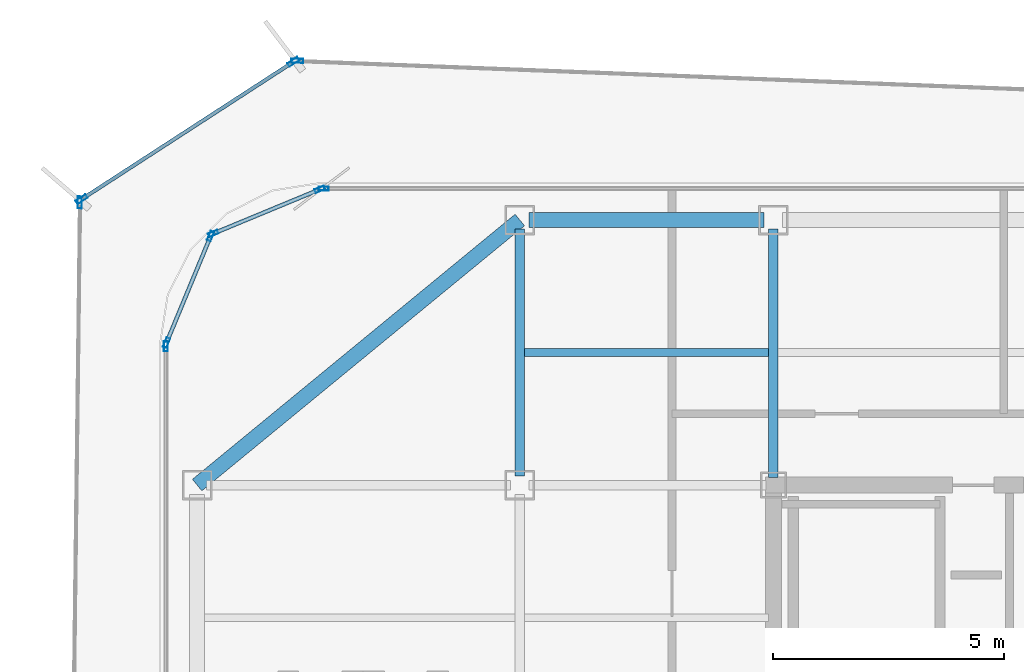
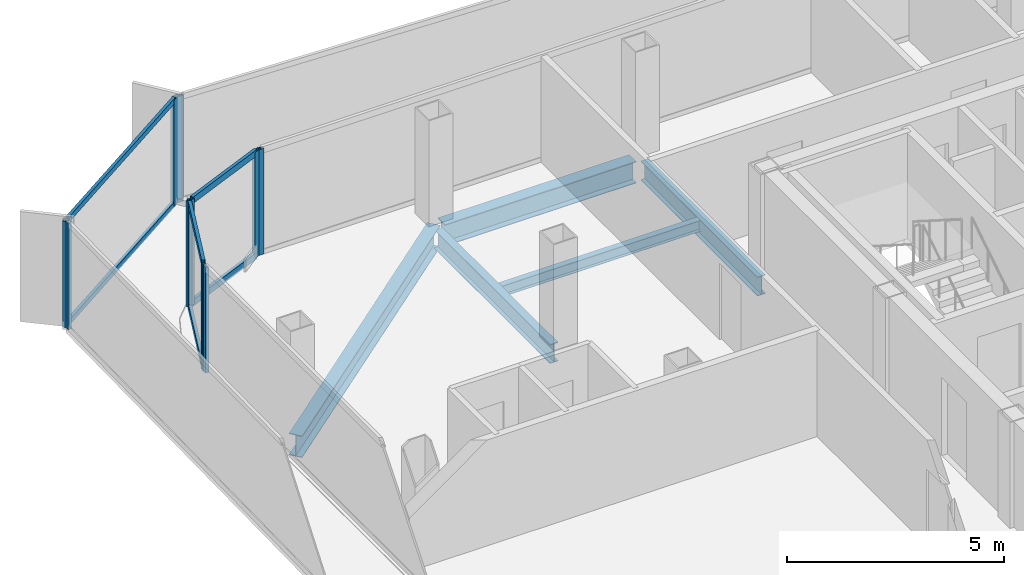
# One storey, part 6 of 15: 16 members, 5 beams, 7 elements without a shape of their own.
"""IFC4 building model written with IfcOpenShell, lengths in metres."""

from ifc_helpers import new_model, si_unit, direction, frame, origin, origin_2d, place, context, subcontext, project, spatial, hollow_rectangle, i_section, extrude, source, transform, mapped, material, layer, layer_set, material_profile, profile_set, type_object, element, aggregate, save


model = new_model("IFC4")

# Units and contexts
model_context = context("Model", 3, precision=1e-05, world=origin(), true_north=direction((0.0, 1.0)))
body_context = subcontext(model_context, "Body", "Model", "MODEL_VIEW")
ifc_project = project(units=[si_unit("LENGTHUNIT", "METRE"), si_unit("AREAUNIT", "SQUARE_METRE"), si_unit("VOLUMEUNIT", "CUBIC_METRE"), si_unit("PLANEANGLEUNIT", "RADIAN"), si_unit("MASSUNIT", "GRAM", prefix="KILO")], contexts=[model_context])

# Site, building, storey
site_placement = place(None, origin())
site = spatial("IfcSite", under=ifc_project, at=site_placement, CompositionType="ELEMENT")
building_placement = place(site_placement, origin())
building = spatial("IfcBuilding", under=site, at=building_placement, Name="Kolveth Station Tower", CompositionType="ELEMENT")
storey_placement = place(building_placement, frame((0.0, 0.0, 245.699951171875)))
storey = spatial("IfcBuildingStorey", under=building, at=storey_placement, Name="L70", CompositionType="ELEMENT", Elevation=245.699951171875)

# Beams
ifc_material_1 = material(Name="Steel S355", Category="steel")
ifc_material_profile_1 = material_profile(ifc_material_1, i_section(OverallWidth=0.323974609375, OverallDepth=0.611083984375, WebThickness=0.0126953125, FlangeThickness=0.01904296875, at=origin_2d()), Name="W610x155")
ifc_profile_set_1 = profile_set([ifc_material_profile_1], Name="Steel S355")
beam_type_1 = type_object("IfcBeamType", Name="Beam_SP2", PredefinedType="SPANDREL", material=ifc_profile_set_1)
shared_shape_1 = source(origin(), body_context, "Body", "SweptSolid", [
    extrude(i_section(OverallWidth=0.323974609375, OverallDepth=0.611083984375, WebThickness=0.0126953125, FlangeThickness=0.01904296875, at=origin_2d()), origin(), (0.0, 0.0, 1.0), 9.058837890625),
])
beam_1_placement = place(storey_placement, frame((13.0, 34.5, -0.525390625), z_axis=(-0.772726254525, -0.63473942336, 0.0), x_axis=(0.63473942336, -0.772726254525, 0.0)))
element("IfcBeam", 1, at=beam_1_placement, inside=storey, type_object=beam_type_1, Name="L70 Corner Edge Girder BM-L70-CNR-NW", PredefinedType="SPANDREL", context=body_context, shape_type="MappedRepresentation", body=[
    mapped(shared_shape_1, transform((0.0, 0.0, 0.0), x_axis=(1.0, 0.0, 0.0), y_axis=(0.0, 1.0, 0.0), z_axis=(0.0, 0.0, 1.0), scale=1.0)),
])
shared_shape_2 = source(origin(), body_context, "Body", "SweptSolid", [
    extrude(i_section(OverallWidth=0.323974609375, OverallDepth=0.611083984375, WebThickness=0.0126953125, FlangeThickness=0.01904296875, at=origin_2d()), origin(), (0.0, 0.0, 1.0), 5.10009765625),
])
beam_2_placement = place(storey_placement, frame((13.199951171875, 34.5, -0.525390625), z_axis=(1.0, 0.0, 0.0), x_axis=(0.0, 1.0, 0.0)))
element("IfcBeam", 2, at=beam_2_placement, inside=storey, type_object=beam_type_1, Name="L70 Perimeter Spandrel BM-L70-PN-1", PredefinedType="SPANDREL", context=body_context, shape_type="MappedRepresentation", body=[
    mapped(shared_shape_2, transform((0.0, 0.0, 0.0), x_axis=(1.0, 0.0, 0.0), y_axis=(0.0, 1.0, 0.0), z_axis=(0.0, 0.0, 1.0), scale=1.0)),
])
ifc_material_profile_2 = material_profile(ifc_material_1, i_section(OverallWidth=0.2099609375, OverallDepth=0.537109375, WebThickness=0.010986328125, FlangeThickness=0.017333984375, at=origin_2d()), Name="W530x101")
ifc_profile_set_2 = profile_set([ifc_material_profile_2], Name="Steel S355")
beam_type_2 = type_object("IfcBeamType", Name="Beam_B6", PredefinedType="BEAM", material=ifc_profile_set_2)
shared_shape_3 = source(origin(), body_context, "Body", "SweptSolid", [
    extrude(i_section(OverallWidth=0.2099609375, OverallDepth=0.537109375, WebThickness=0.010986328125, FlangeThickness=0.017333984375, at=origin_2d()), origin(), (0.0, 0.0, 1.0), 5.35009765625),
])
beam_3_placement = place(storey_placement, frame((13.0, 28.949951171875, -0.488525390625), z_axis=(0.0, 1.0, 0.0), x_axis=(-1.0, 0.0, 0.0)))
element("IfcBeam", 3, at=beam_3_placement, inside=storey, type_object=beam_type_2, Name="L70 Primary Girder BM-L70-GX130-6", PredefinedType="BEAM", context=body_context, shape_type="MappedRepresentation", body=[
    mapped(shared_shape_3, transform((0.0, 0.0, 0.0), x_axis=(1.0, 0.0, 0.0), y_axis=(0.0, 1.0, 0.0), z_axis=(0.0, 0.0, 1.0), scale=1.0)),
])
shared_shape_4 = source(origin(), body_context, "Body", "SweptSolid", [
    extrude(i_section(OverallWidth=0.2099609375, OverallDepth=0.537109375, WebThickness=0.010986328125, FlangeThickness=0.017333984375, at=origin_2d()), origin(), (0.0, 0.0, 1.0), 5.39013671875),
])
beam_4_placement = place(storey_placement, frame((18.5, 28.909912109375, -0.488525390625), z_axis=(0.0, 1.0, 0.0), x_axis=(-1.0, 0.0, 0.0)))
element("IfcBeam", 4, at=beam_4_placement, inside=storey, type_object=beam_type_2, Name="L70 Primary Girder BM-L70-GX185-6", PredefinedType="BEAM", context=body_context, shape_type="MappedRepresentation", body=[
    mapped(shared_shape_4, transform((0.0, 0.0, 0.0), x_axis=(1.0, 0.0, 0.0), y_axis=(0.0, 1.0, 0.0), z_axis=(0.0, 0.0, 1.0), scale=1.0)),
])
ifc_material_profile_3 = material_profile(ifc_material_1, i_section(OverallWidth=0.1650390625, OverallDepth=0.31005859375, WebThickness=0.005859375, FlangeThickness=0.009765625, at=origin_2d()), Name="W310x39")
ifc_profile_set_3 = profile_set([ifc_material_profile_3], Name="Steel S355")
beam_type_3 = type_object("IfcBeamType", Name="Beam_J3", PredefinedType="JOIST", material=ifc_profile_set_3)
shared_shape_5 = source(origin(), body_context, "Body", "SweptSolid", [
    extrude(i_section(OverallWidth=0.1650390625, OverallDepth=0.31005859375, WebThickness=0.005859375, FlangeThickness=0.009765625, at=origin_2d()), origin(), (0.0, 0.0, 1.0), 5.2939453125),
])
beam_5_placement = place(storey_placement, frame((13.10302734375, 31.625, -0.375), z_axis=(1.0, 0.0, 0.0), x_axis=(0.0, 1.0, 0.0)))
element("IfcBeam", 5, at=beam_5_placement, inside=storey, type_object=beam_type_3, Name="L70 Secondary Joist JST-L70-2-6", PredefinedType="JOIST", context=body_context, shape_type="MappedRepresentation", body=[
    mapped(shared_shape_5, transform((0.0, 0.0, 0.0), x_axis=(1.0, 0.0, 0.0), y_axis=(0.0, 1.0, 0.0), z_axis=(0.0, 0.0, 1.0), scale=1.0)),
])

# Curtain wall, member
ifc_material_2 = material(Name="Black anodized aluminium 6063-T6 and dark solar glass", Category="aluminium")
ifc_layer_1 = layer(ifc_material_2, 0.159912109375)
ifc_layer_set_1 = layer_set([ifc_layer_1], Name="Black anodized aluminium 6063-T6 and dark solar glass")
curtain_wall_type_1 = type_object("IfcCurtainWallType", Name="OUTER SKIN CW-OS", PredefinedType="NOTDEFINED", material=ifc_layer_set_1)
curtain_wall_1_placement = place(storey_placement, origin())
curtain_wall_1 = element("IfcCurtainWall", 6, at=curtain_wall_1_placement, inside=storey, type_object=curtain_wall_type_1, Name="L70 Outer Ventilated Skin Curtain Wall 4", PredefinedType="NOTDEFINED")
ifc_material_3 = material(Name="Black anodized aluminium 6063-T6", Category="aluminium")
ifc_material_profile_4 = material_profile(ifc_material_3, hollow_rectangle(XDim=0.090087890625, YDim=0.260009765625, WallThickness=0.0048828125, at=origin_2d()), Name="ALU-90x260x5")
ifc_profile_set_4 = profile_set([ifc_material_profile_4], Name="Black anodized aluminium 6063-T6")
member_type_1 = type_object("IfcMemberType", Name="FIN MULLION ML-OS", PredefinedType="MULLION", material=ifc_profile_set_4)
shared_shape_6 = source(origin(), body_context, "Body", "SweptSolid", [
    extrude(hollow_rectangle(XDim=0.090087890625, YDim=0.260009765625, WallThickness=0.0048828125, at=origin_2d()), origin(), (0.0, 0.0, 1.0), 2.989990234375),
])
member_1_placement = place(storey_placement, frame((8.171142578125, 37.952880859375, 0.0), z_axis=(0.0, 0.0, 1.0), x_axis=(-0.038860922122, -0.999244629073, 0.0)))
member_1 = element("IfcMember", 7, at=member_1_placement, type_object=member_type_1, Name="CW-OS mullion 2", PredefinedType="MULLION", context=body_context, shape_type="MappedRepresentation", body=[
    mapped(shared_shape_6, transform((0.0, 0.0, 0.0), x_axis=(1.0, 0.0, 0.0), y_axis=(0.0, 1.0, 0.0), z_axis=(0.0, 0.0, 1.0), scale=1.0)),
])
aggregate(curtain_wall_1, [member_1])

# Curtain wall, members
curtain_wall_2_placement = place(storey_placement, origin())
curtain_wall_2 = element("IfcCurtainWall", 8, at=curtain_wall_2_placement, inside=storey, type_object=curtain_wall_type_1, Name="L70 Outer Ventilated Skin Curtain Wall 5", PredefinedType="NOTDEFINED")
member_2_placement = place(storey_placement, frame((8.08837890625, 37.93017578125, 0.0), z_axis=(0.0, 0.0, 1.0), x_axis=(0.544140193487, -0.838994308581, 0.0)))
member_2 = element("IfcMember", 9, at=member_2_placement, type_object=member_type_1, Name="CW-OS mullion 1", PredefinedType="MULLION", context=body_context, shape_type="MappedRepresentation", body=[
    mapped(shared_shape_6, transform((0.0, 0.0, 0.0), x_axis=(1.0, 0.0, 0.0), y_axis=(0.0, 1.0, 0.0), z_axis=(0.0, 0.0, 1.0), scale=1.0)),
])
member_3_placement = place(storey_placement, frame((3.49267578125, 34.94970703125, 0.0), z_axis=(0.0, 0.0, 1.0), x_axis=(0.544140193487, -0.838994308581, 0.0)))
member_3 = element("IfcMember", 10, at=member_3_placement, type_object=member_type_1, Name="CW-OS mullion 2", PredefinedType="MULLION", context=body_context, shape_type="MappedRepresentation", body=[
    mapped(shared_shape_6, transform((0.0, 0.0, 0.0), x_axis=(1.0, 0.0, 0.0), y_axis=(0.0, 1.0, 0.0), z_axis=(0.0, 0.0, 1.0), scale=1.0)),
])

# Curtain wall, member
curtain_wall_3_placement = place(storey_placement, origin())
curtain_wall_3 = element("IfcCurtainWall", 11, at=curtain_wall_3_placement, inside=storey, type_object=curtain_wall_type_1, Name="L70 Outer Ventilated Skin Curtain Wall 6", PredefinedType="NOTDEFINED")
member_4_placement = place(storey_placement, frame((3.454345703125, 34.880126953125, 0.0), z_axis=(0.0, 0.0, 1.0), x_axis=(0.999922787359, -0.012426557028, 0.0)))
member_4 = element("IfcMember", 12, at=member_4_placement, type_object=member_type_1, Name="CW-OS mullion 1", PredefinedType="MULLION", context=body_context, shape_type="MappedRepresentation", body=[
    mapped(shared_shape_6, transform((0.0, 0.0, 0.0), x_axis=(1.0, 0.0, 0.0), y_axis=(0.0, 1.0, 0.0), z_axis=(0.0, 0.0, 1.0), scale=1.0)),
])
aggregate(curtain_wall_3, [member_4])

ifc_material_4 = material(Name="Aluminium 6063-T6 and triple low-E dark glass", Category="aluminium")
ifc_layer_2 = layer(ifc_material_4, 0.199951171875)
ifc_layer_set_2 = layer_set([ifc_layer_2], Name="Aluminium 6063-T6 and triple low-E dark glass")
curtain_wall_type_2 = type_object("IfcCurtainWallType", Name="CurtainWall_CW-Z3", PredefinedType="NOTDEFINED", material=ifc_layer_set_2)
curtain_wall_4_placement = place(storey_placement, origin())
curtain_wall_4 = element("IfcCurtainWall", 13, at=curtain_wall_4_placement, inside=storey, type_object=curtain_wall_type_2, Name="L70 Inner Thermal Curtain Wall 6", PredefinedType="NOTDEFINED")
ifc_material_profile_5 = material_profile(ifc_material_3, hollow_rectangle(XDim=0.0849609375, YDim=0.215087890625, WallThickness=0.0048828125, at=origin_2d()), Name="ALU-85x215x5")
ifc_profile_set_5 = profile_set([ifc_material_profile_5], Name="Black anodized aluminium 6063-T6")
member_type_2 = type_object("IfcMemberType", Name="Mullion_ML3", PredefinedType="MULLION", material=ifc_profile_set_5)
shared_shape_7 = source(origin(), body_context, "Body", "SweptSolid", [
    extrude(hollow_rectangle(XDim=0.0849609375, YDim=0.215087890625, WallThickness=0.0048828125, at=origin_2d()), origin(), (0.0, 0.0, 1.0), 2.97998046875),
])
member_5_placement = place(storey_placement, frame((8.742431640625, 35.179931640625, 0.0), z_axis=(0.0, 0.0, 1.0), x_axis=(0.0, -1.0, 0.0)))
member_5 = element("IfcMember", 14, at=member_5_placement, type_object=member_type_2, Name="CW-Z3 mullion 2", PredefinedType="MULLION", context=body_context, shape_type="MappedRepresentation", body=[
    mapped(shared_shape_7, transform((0.0, 0.0, 0.0), x_axis=(1.0, 0.0, 0.0), y_axis=(0.0, 1.0, 0.0), z_axis=(0.0, 0.0, 1.0), scale=1.0)),
])
aggregate(curtain_wall_4, [member_5])

# Curtain wall, members
curtain_wall_5_placement = place(storey_placement, origin())
curtain_wall_5 = element("IfcCurtainWall", 15, at=curtain_wall_5_placement, inside=storey, type_object=curtain_wall_type_2, Name="L70 Inner Thermal Curtain Wall 7", PredefinedType="NOTDEFINED")
member_6_placement = place(storey_placement, frame((8.66064453125, 35.163818359375, 0.0), z_axis=(0.0, 0.0, 1.0), x_axis=(0.382693194181, -0.923875488975, 0.0)))
member_6 = element("IfcMember", 16, at=member_6_placement, type_object=member_type_2, Name="CW-Z3 mullion 1", PredefinedType="MULLION", context=body_context, shape_type="MappedRepresentation", body=[
    mapped(shared_shape_7, transform((0.0, 0.0, 0.0), x_axis=(1.0, 0.0, 0.0), y_axis=(0.0, 1.0, 0.0), z_axis=(0.0, 0.0, 1.0), scale=1.0)),
])
member_7_placement = place(storey_placement, frame((6.349365234375, 34.206298828125, 0.0), z_axis=(0.0, 0.0, 1.0), x_axis=(0.382693194181, -0.923875488975, 0.0)))
member_7 = element("IfcMember", 17, at=member_7_placement, type_object=member_type_2, Name="CW-Z3 mullion 2", PredefinedType="MULLION", context=body_context, shape_type="MappedRepresentation", body=[
    mapped(shared_shape_7, transform((0.0, 0.0, 0.0), x_axis=(1.0, 0.0, 0.0), y_axis=(0.0, 1.0, 0.0), z_axis=(0.0, 0.0, 1.0), scale=1.0)),
])

curtain_wall_6_placement = place(storey_placement, origin())
curtain_wall_6 = element("IfcCurtainWall", 18, at=curtain_wall_6_placement, inside=storey, type_object=curtain_wall_type_2, Name="L70 Inner Thermal Curtain Wall 8", PredefinedType="NOTDEFINED")
member_8_placement = place(storey_placement, frame((6.293701171875, 34.150634765625, 0.0), z_axis=(0.0, 0.0, 1.0), x_axis=(0.923875488975, -0.382693194181, 0.0)))
member_8 = element("IfcMember", 19, at=member_8_placement, type_object=member_type_2, Name="CW-Z3 mullion 1", PredefinedType="MULLION", context=body_context, shape_type="MappedRepresentation", body=[
    mapped(shared_shape_7, transform((0.0, 0.0, 0.0), x_axis=(1.0, 0.0, 0.0), y_axis=(0.0, 1.0, 0.0), z_axis=(0.0, 0.0, 1.0), scale=1.0)),
])
member_9_placement = place(storey_placement, frame((5.336181640625, 31.83935546875, 0.0), z_axis=(0.0, 0.0, 1.0), x_axis=(0.923875488975, -0.382693194181, 0.0)))
member_9 = element("IfcMember", 20, at=member_9_placement, type_object=member_type_2, Name="CW-Z3 mullion 2", PredefinedType="MULLION", context=body_context, shape_type="MappedRepresentation", body=[
    mapped(shared_shape_7, transform((0.0, 0.0, 0.0), x_axis=(1.0, 0.0, 0.0), y_axis=(0.0, 1.0, 0.0), z_axis=(0.0, 0.0, 1.0), scale=1.0)),
])

# Curtain wall, member
curtain_wall_7_placement = place(storey_placement, origin())
curtain_wall_7 = element("IfcCurtainWall", 21, at=curtain_wall_7_placement, inside=storey, type_object=curtain_wall_type_2, Name="L70 Inner Thermal Curtain Wall 9", PredefinedType="NOTDEFINED")
member_10_placement = place(storey_placement, frame((5.320068359375, 31.757568359375, 0.0), z_axis=(0.0, 0.0, 1.0), x_axis=(1.0, 0.0, 0.0)))
member_10 = element("IfcMember", 22, at=member_10_placement, type_object=member_type_2, Name="CW-Z3 mullion 1", PredefinedType="MULLION", context=body_context, shape_type="MappedRepresentation", body=[
    mapped(shared_shape_7, transform((0.0, 0.0, 0.0), x_axis=(1.0, 0.0, 0.0), y_axis=(0.0, 1.0, 0.0), z_axis=(0.0, 0.0, 1.0), scale=1.0)),
])
aggregate(curtain_wall_7, [member_10])

# Member
ifc_material_profile_6 = material_profile(ifc_material_3, hollow_rectangle(XDim=0.0849609375, YDim=0.179931640625, WallThickness=0.0048828125, at=origin_2d()), Name="ALU-85x180x5")
ifc_profile_set_6 = profile_set([ifc_material_profile_6], Name="Black anodized aluminium 6063-T6")
member_type_3 = type_object("IfcMemberType", Name="Transom_TR3", PredefinedType="USERDEFINED", material=ifc_profile_set_6)
shared_shape_8 = source(origin(), body_context, "Body", "SweptSolid", [
    extrude(hollow_rectangle(XDim=0.0849609375, YDim=0.179931640625, WallThickness=0.0048828125, at=origin_2d()), origin(), (0.0, 0.0, 1.0), 2.417236328125),
])
member_11_placement = place(storey_placement, frame((8.62158203125, 35.1474609375, 0.04248046875), z_axis=(-0.923872799448, -0.382699687013, 0.0), x_axis=(0.382699687013, -0.923872799448, 0.0)))
member_11 = element("IfcMember", 23, at=member_11_placement, type_object=member_type_3, Name="CW-Z3 transom 1.1", ObjectType="TRANSOM", PredefinedType="USERDEFINED", context=body_context, shape_type="MappedRepresentation", body=[
    mapped(shared_shape_8, transform((0.0, 0.0, 0.0), x_axis=(1.0, 0.0, 0.0), y_axis=(0.0, 1.0, 0.0), z_axis=(0.0, 0.0, 1.0), scale=1.0)),
])

member_12_placement = place(storey_placement, frame((8.62158203125, 35.1474609375, 2.9375), z_axis=(-0.923872799448, -0.382699687013, 0.0), x_axis=(0.382699687013, -0.923872799448, 0.0)))
member_12 = element("IfcMember", 24, at=member_12_placement, type_object=member_type_3, Name="CW-Z3 transom 1.2", ObjectType="TRANSOM", PredefinedType="USERDEFINED", context=body_context, shape_type="MappedRepresentation", body=[
    mapped(shared_shape_8, transform((0.0, 0.0, 0.0), x_axis=(1.0, 0.0, 0.0), y_axis=(0.0, 1.0, 0.0), z_axis=(0.0, 0.0, 1.0), scale=1.0)),
])

aggregate(curtain_wall_5, [member_6, member_7, member_11, member_12])

member_13_placement = place(storey_placement, frame((6.277587890625, 34.111572265625, 0.04248046875), z_axis=(-0.382699687013, -0.923872799448, 0.0), x_axis=(0.923872799448, -0.382699687013, 0.0)))
member_13 = element("IfcMember", 25, at=member_13_placement, type_object=member_type_3, Name="CW-Z3 transom 1.1", ObjectType="TRANSOM", PredefinedType="USERDEFINED", context=body_context, shape_type="MappedRepresentation", body=[
    mapped(shared_shape_8, transform((0.0, 0.0, 0.0), x_axis=(1.0, 0.0, 0.0), y_axis=(0.0, 1.0, 0.0), z_axis=(0.0, 0.0, 1.0), scale=1.0)),
])

member_14_placement = place(storey_placement, frame((6.277587890625, 34.111572265625, 2.9375), z_axis=(-0.382699687013, -0.923872799448, 0.0), x_axis=(0.923872799448, -0.382699687013, 0.0)))
member_14 = element("IfcMember", 26, at=member_14_placement, type_object=member_type_3, Name="CW-Z3 transom 1.2", ObjectType="TRANSOM", PredefinedType="USERDEFINED", context=body_context, shape_type="MappedRepresentation", body=[
    mapped(shared_shape_8, transform((0.0, 0.0, 0.0), x_axis=(1.0, 0.0, 0.0), y_axis=(0.0, 1.0, 0.0), z_axis=(0.0, 0.0, 1.0), scale=1.0)),
])

aggregate(curtain_wall_6, [member_8, member_9, member_13, member_14])

ifc_material_profile_7 = material_profile(ifc_material_3, hollow_rectangle(XDim=0.080078125, YDim=0.14990234375, WallThickness=0.0048828125, at=origin_2d()), Name="ALU-80x150x5")
ifc_profile_set_7 = profile_set([ifc_material_profile_7], Name="Black anodized aluminium 6063-T6")
member_type_4 = type_object("IfcMemberType", Name="Transom_TR-OS", PredefinedType="USERDEFINED", material=ifc_profile_set_7)
shared_shape_9 = source(origin(), body_context, "Body", "SweptSolid", [
    extrude(hollow_rectangle(XDim=0.080078125, YDim=0.14990234375, WallThickness=0.0048828125, at=origin_2d()), origin(), (0.0, 0.0, 1.0), 5.387451171875),
])
member_15_placement = place(storey_placement, frame((8.050537109375, 37.90576171875, 0.0400390625), z_axis=(-0.838983653171, -0.544156622409, 0.0), x_axis=(0.544156622409, -0.838983653171, 0.0)))
member_15 = element("IfcMember", 27, at=member_15_placement, type_object=member_type_4, Name="CW-OS transom 1.1", ObjectType="TRANSOM", PredefinedType="USERDEFINED", context=body_context, shape_type="MappedRepresentation", body=[
    mapped(shared_shape_9, transform((0.0, 0.0, 0.0), x_axis=(1.0, 0.0, 0.0), y_axis=(0.0, 1.0, 0.0), z_axis=(0.0, 0.0, 1.0), scale=1.0)),
])

member_16_placement = place(storey_placement, frame((8.050537109375, 37.90576171875, 2.949951171875), z_axis=(-0.838983653171, -0.544156622409, 0.0), x_axis=(0.544156622409, -0.838983653171, 0.0)))
member_16 = element("IfcMember", 28, at=member_16_placement, type_object=member_type_4, Name="CW-OS transom 1.2", ObjectType="TRANSOM", PredefinedType="USERDEFINED", context=body_context, shape_type="MappedRepresentation", body=[
    mapped(shared_shape_9, transform((0.0, 0.0, 0.0), x_axis=(1.0, 0.0, 0.0), y_axis=(0.0, 1.0, 0.0), z_axis=(0.0, 0.0, 1.0), scale=1.0)),
])

aggregate(curtain_wall_2, [member_2, member_3, member_15, member_16])

save(model, "model.ifc")
